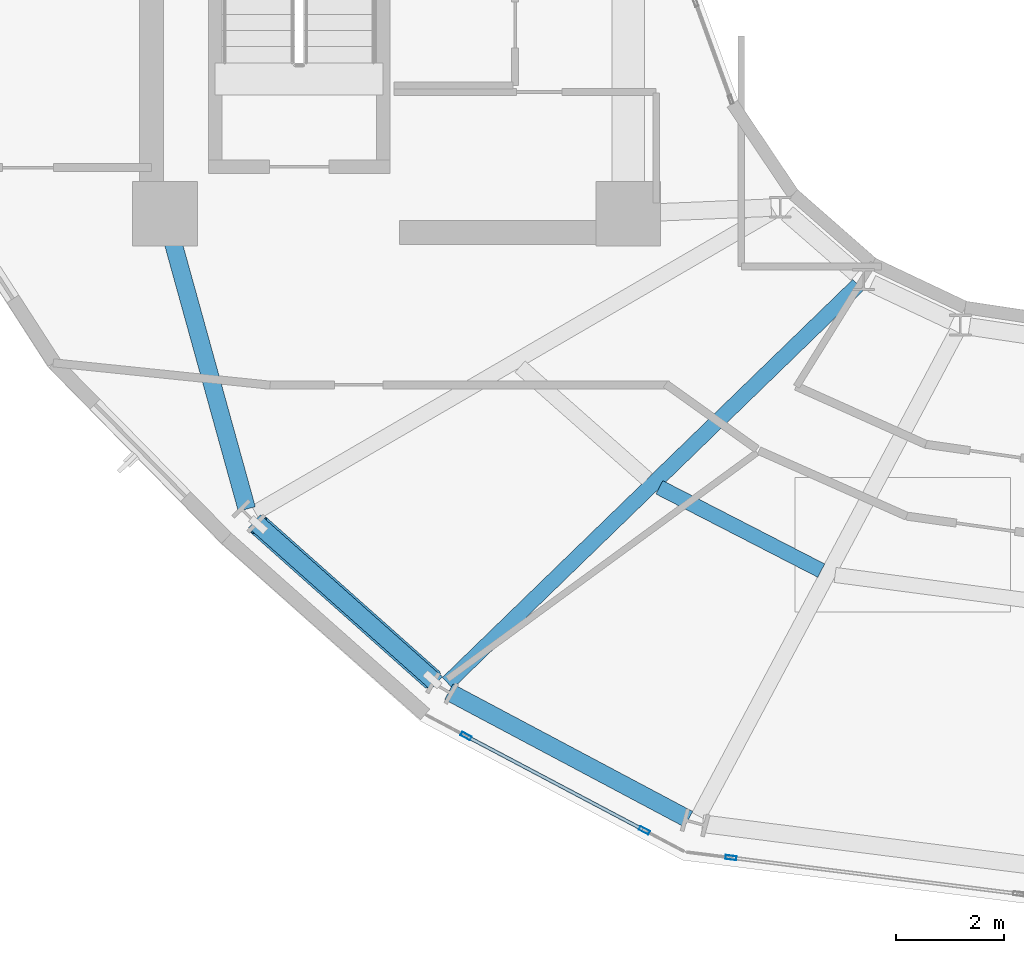
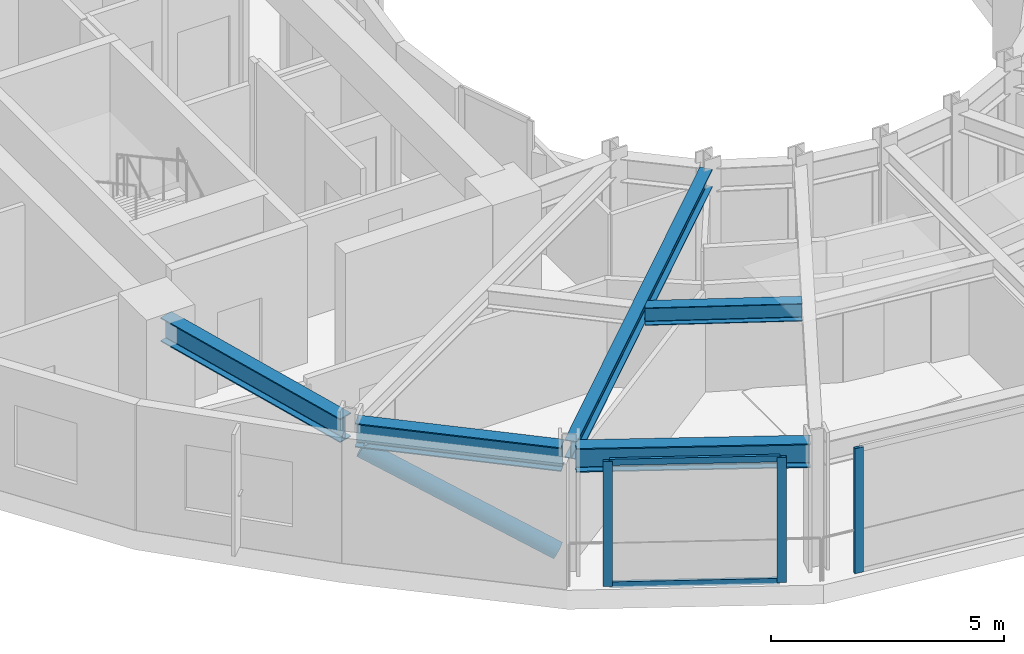
# One storey, part 2 of 25: 6 members, 5 beams, 2 elements without a shape of their own.
"""IFC4 building model written with IfcOpenShell, lengths in metres."""

from ifc_helpers import new_model, si_unit, direction, frame, origin, origin_2d, place, context, subcontext, project, spatial, hollow_rectangle, hollow_circle, i_section, extrude, material, layer, layer_set, material_profile, profile_set, type_object, element, aggregate, save


model = new_model("IFC4")

# Units and contexts
model_context = context("Model", 3, precision=1e-05, world=origin(), true_north=direction((0.0, 1.0)))
body_context = subcontext(model_context, "Body", "Model", "MODEL_VIEW")
ifc_project = project(units=[si_unit("LENGTHUNIT", "METRE"), si_unit("AREAUNIT", "SQUARE_METRE"), si_unit("VOLUMEUNIT", "CUBIC_METRE"), si_unit("PLANEANGLEUNIT", "RADIAN"), si_unit("MASSUNIT", "GRAM", prefix="KILO")], contexts=[model_context])

# Site, building, storey
site_placement = place(None, origin())
site = spatial("IfcSite", under=ifc_project, at=site_placement, CompositionType="ELEMENT")
building_placement = place(site_placement, origin())
building = spatial("IfcBuilding", under=site, at=building_placement, Name="Solvane Sanctuary Tower", CompositionType="ELEMENT")
storey_placement = place(building_placement, frame((0.0, 0.0, 238.800048828125)))
storey = spatial("IfcBuildingStorey", under=building, at=storey_placement, Name="L73", CompositionType="ELEMENT", Elevation=238.800048828125)

# Beams
ifc_material_1 = material(Name="Steel ASTM A992 Grade 50", Category="steel")
ifc_material_profile_1 = material_profile(ifc_material_1, i_section(OverallWidth=0.282958984375, OverallDepth=0.471923828125, WebThickness=0.013671875, FlangeThickness=0.022216796875, FilletRadius=0.013916015625, at=origin_2d()), Name="W18X97")
ifc_profile_set_1 = profile_set([ifc_material_profile_1], Name="Steel ASTM A992 Grade 50")
beam_type_1 = type_object("IfcBeamType", Name="Beam B-RAD-Z4 W18X97", PredefinedType="JOIST", material=ifc_profile_set_1)
beam_1_placement = place(storey_placement, frame((28.16943359375, 15.575927734375, 3.08203125), z_axis=(-0.71793137972, -0.696113880061, 0.0), x_axis=(0.696113880061, -0.71793137972, 0.0)))
element("IfcBeam", 1, at=beam_1_placement, inside=storey, type_object=beam_type_1, Name="L73 Radial Composite Floor Beam 09", PredefinedType="JOIST", context=body_context, shape_type="SweptSolid", body=[
    extrude(i_section(OverallWidth=0.282958984375, OverallDepth=0.471923828125, WebThickness=0.013671875, FlangeThickness=0.022216796875, FilletRadius=0.013916015625, at=origin_2d()), origin(), (0.0, 0.0, 1.0), 10.619384765625),
])
ifc_material_profile_2 = material_profile(ifc_material_1, i_section(OverallWidth=0.280029296875, OverallDepth=0.462890625, WebThickness=0.0107421875, FlangeThickness=0.017333984375, FilletRadius=0.013916015625, at=origin_2d()), Name="W18X76")
ifc_profile_set_2 = profile_set([ifc_material_profile_2], Name="Steel ASTM A992 Grade 50")
beam_type_2 = type_object("IfcBeamType", Name="Beam B-SEC-JOIST W18X76", PredefinedType="JOIST", material=ifc_profile_set_2)
beam_2_placement = place(storey_placement, frame((24.47900390625, 11.8173828125, 3.08642578125), z_axis=(0.88924080122, -0.4574393921, 0.0), x_axis=(0.4574393921, 0.88924080122, 0.0)))
element("IfcBeam", 2, at=beam_2_placement, inside=storey, type_object=beam_type_2, Name="L73 Secondary Circumferential Joist 09-10", PredefinedType="JOIST", context=body_context, shape_type="SweptSolid", body=[
    extrude(i_section(OverallWidth=0.280029296875, OverallDepth=0.462890625, WebThickness=0.0107421875, FlangeThickness=0.017333984375, FilletRadius=0.013916015625, at=origin_2d()), origin(), (0.0, 0.0, 1.0), 3.380615234375),
])
ifc_material_profile_3 = material_profile(ifc_material_1, i_section(OverallWidth=0.327880859375, OverallDepth=0.6279296875, WebThickness=0.0166015625, FlangeThickness=0.027587890625, FilletRadius=0.01611328125, at=origin_2d()), Name="W24X146")
ifc_profile_set_3 = profile_set([ifc_material_profile_3], Name="Steel ASTM A992 Grade 50")
beam_type_3 = type_object("IfcBeamType", Name="Beam B-SPAND-Z3 W24X146", PredefinedType="SPANDREL", material=ifc_profile_set_3)
beam_3_placement = place(storey_placement, frame((15.374755859375, 16.630126953125, 3.00390625), z_axis=(0.266650248701, -0.963793362121, 0.0), x_axis=(0.963793362121, 0.266650248701, 0.0)))
element("IfcBeam", 3, at=beam_3_placement, inside=storey, type_object=beam_type_3, Name="L73 Perimeter Spandrel Beam CW1-TC08", PredefinedType="SPANDREL", context=body_context, shape_type="SweptSolid", body=[
    extrude(i_section(OverallWidth=0.327880859375, OverallDepth=0.6279296875, WebThickness=0.0166015625, FlangeThickness=0.027587890625, FilletRadius=0.01611328125, at=origin_2d()), origin(), (0.0, 0.0, 1.0), 5.412109375),
])
beam_4_placement = place(storey_placement, frame((16.959716796875, 11.18603515625, 3.00390625), z_axis=(0.747206834793, -0.664591563322, 0.0), x_axis=(0.664591563322, 0.747206834793, 0.0)))
element("IfcBeam", 4, at=beam_4_placement, inside=storey, type_object=beam_type_3, Name="L73 Perimeter Spandrel Beam TC08-TC09", PredefinedType="SPANDREL", context=body_context, shape_type="SweptSolid", body=[
    extrude(i_section(OverallWidth=0.327880859375, OverallDepth=0.6279296875, WebThickness=0.0166015625, FlangeThickness=0.027587890625, FilletRadius=0.01611328125, at=origin_2d()), origin(), (0.0, 0.0, 1.0), 4.5244140625),
])
beam_5_placement = place(storey_placement, frame((20.568603515625, 8.0205078125, 3.00390625), z_axis=(0.883011615456, -0.469351133981, 0.0), x_axis=(0.469351133981, 0.883011615456, 0.0)))
element("IfcBeam", 5, at=beam_5_placement, inside=storey, type_object=beam_type_3, Name="L73 Perimeter Spandrel Beam TC09-TC10", PredefinedType="SPANDREL", context=body_context, shape_type="SweptSolid", body=[
    extrude(i_section(OverallWidth=0.327880859375, OverallDepth=0.6279296875, WebThickness=0.0166015625, FlangeThickness=0.027587890625, FilletRadius=0.01611328125, at=origin_2d()), origin(), (0.0, 0.0, 1.0), 5.04150390625),
])

# Curtain wall, members
ifc_material_2 = material(Name="Anodised Aluminium 6063-T6", Category="aluminium")
ifc_layer = layer(ifc_material_2, 0.18994140625, Name="Anodised Aluminium 6063-T6")
ifc_layer_set = layer_set([ifc_layer], Name="Anodised Aluminium 6063-T6")
curtain_wall_type = type_object("IfcCurtainWallType", Name="Curtain Wall CW-OPER", PredefinedType="NOTDEFINED", material=ifc_layer_set)
curtain_wall_1_placement = place(storey_placement, origin())
curtain_wall_1 = element("IfcCurtainWall", 6, at=curtain_wall_1_placement, inside=storey, type_object=curtain_wall_type, Name="L73 CW-OPER Facade Run 16", PredefinedType="NOTDEFINED")
ifc_material_profile_4 = material_profile(ifc_material_2, hollow_rectangle(XDim=0.074951171875, YDim=0.199951171875, WallThickness=0.00390625, at=origin_2d()), Name="ALU200X75X4")
ifc_profile_set_4 = profile_set([ifc_material_profile_4], Name="Anodised Aluminium 6063-T6")
member_type_1 = type_object("IfcMemberType", Name="Member M-CW-MUL-1 ALU200X75X4", PredefinedType="MULLION", material=ifc_profile_set_4)
member_1_placement = place(storey_placement, frame((20.887939453125, 7.199951171875, 0.0), z_axis=(0.0, 0.0, 1.0), x_axis=(0.467523293544, 0.883980752049, 0.0)))
member_1 = element("IfcMember", 7, at=member_1_placement, type_object=member_type_1, Name="CW-OPER mullion 1", PredefinedType="MULLION", context=body_context, shape_type="SweptSolid", body=[
    extrude(hollow_rectangle(XDim=0.074951171875, YDim=0.199951171875, WallThickness=0.00390625, at=origin_2d()), origin(), (0.0, 0.0, 1.0), 3.280029296875),
])
member_2_placement = place(storey_placement, frame((24.198974609375, 5.448974609375, 0.0), z_axis=(0.0, 0.0, 1.0), x_axis=(0.467523293544, 0.883980752049, 0.0)))
member_2 = element("IfcMember", 8, at=member_2_placement, type_object=member_type_1, Name="CW-OPER mullion 2", PredefinedType="MULLION", context=body_context, shape_type="SweptSolid", body=[
    extrude(hollow_rectangle(XDim=0.074951171875, YDim=0.199951171875, WallThickness=0.00390625, at=origin_2d()), origin(), (0.0, 0.0, 1.0), 3.280029296875),
])

# Curtain wall, member
curtain_wall_2_placement = place(storey_placement, origin())
curtain_wall_2 = element("IfcCurtainWall", 9, at=curtain_wall_2_placement, inside=storey, type_object=curtain_wall_type, Name="L73 CW-OPER Facade Run 17", PredefinedType="NOTDEFINED")
member_3_placement = place(storey_placement, frame((25.807861328125, 4.941162109375, 0.0), z_axis=(0.0, 0.0, 1.0), x_axis=(0.124814850727, 0.992180050716, 0.0)))
member_3 = element("IfcMember", 10, at=member_3_placement, type_object=member_type_1, Name="CW-OPER mullion 1", PredefinedType="MULLION", context=body_context, shape_type="SweptSolid", body=[
    extrude(hollow_rectangle(XDim=0.074951171875, YDim=0.199951171875, WallThickness=0.00390625, at=origin_2d()), origin(), (0.0, 0.0, 1.0), 3.280029296875),
])
aggregate(curtain_wall_2, [member_3])

# Member
ifc_material_profile_5 = material_profile(ifc_material_2, hollow_rectangle(XDim=0.06494140625, YDim=0.159912109375, WallThickness=0.00341796875, at=origin_2d()), Name="ALU160X65X3.5")
ifc_profile_set_5 = profile_set([ifc_material_profile_5], Name="Anodised Aluminium 6063-T6")
member_type_2 = type_object("IfcMemberType", Name="Member M-CW-TRN-1 ALU160X65X3.5", PredefinedType="USERDEFINED", material=ifc_profile_set_5)
member_4_placement = place(storey_placement, frame((20.921142578125, 7.1826171875, 0.032470703125), z_axis=(0.883977140568, -0.467530121975, 0.0), x_axis=(0.467530121975, 0.883977140568, 0.0)))
member_4 = element("IfcMember", 11, at=member_4_placement, type_object=member_type_2, Name="CW-OPER transom 1.1", ObjectType="TRANSOM", PredefinedType="USERDEFINED", context=body_context, shape_type="SweptSolid", body=[
    extrude(hollow_rectangle(XDim=0.06494140625, YDim=0.159912109375, WallThickness=0.00341796875, at=origin_2d()), origin(), (0.0, 0.0, 1.0), 3.67041015625),
])

member_5_placement = place(storey_placement, frame((20.921142578125, 7.1826171875, 3.24755859375), z_axis=(0.883977140568, -0.467530121975, 0.0), x_axis=(0.467530121975, 0.883977140568, 0.0)))
member_5 = element("IfcMember", 12, at=member_5_placement, type_object=member_type_2, Name="CW-OPER transom 1.2", ObjectType="TRANSOM", PredefinedType="USERDEFINED", context=body_context, shape_type="SweptSolid", body=[
    extrude(hollow_rectangle(XDim=0.06494140625, YDim=0.159912109375, WallThickness=0.00341796875, at=origin_2d()), origin(), (0.0, 0.0, 1.0), 3.67041015625),
])

aggregate(curtain_wall_1, [member_1, member_2, member_4, member_5])

ifc_material_profile_6 = material_profile(ifc_material_1, hollow_circle(Radius=0.202880859375, WallThickness=0.012451171875, at=origin_2d()), Name="CHS406X12.5")
ifc_profile_set_6 = profile_set([ifc_material_profile_6], Name="Steel ASTM A992 Grade 50")
member_type_3 = type_object("IfcMemberType", Name="Member M-TUBE-Z3 CHS406X12.5", PredefinedType="BRACE", material=ifc_profile_set_6)
member_6_placement = place(storey_placement, frame((20.2607421875, 8.25, 0.49853515625), z_axis=(-0.673397052397, 0.598966005648, 0.433331436549), x_axis=(-0.664606066876, -0.747193934579, 0.0)))
element("IfcMember", 13, at=member_6_placement, inside=storey, type_object=member_type_3, Name="L73 Perimeter Braced-Tube Diagonal SW", PredefinedType="BRACE", context=body_context, shape_type="SweptSolid", body=[
    extrude(hollow_circle(Radius=0.202880859375, WallThickness=0.012451171875, at=origin_2d()), origin(), (0.0, 0.0, 1.0), 4.788818359375),
])

save(model, "model.ifc")
